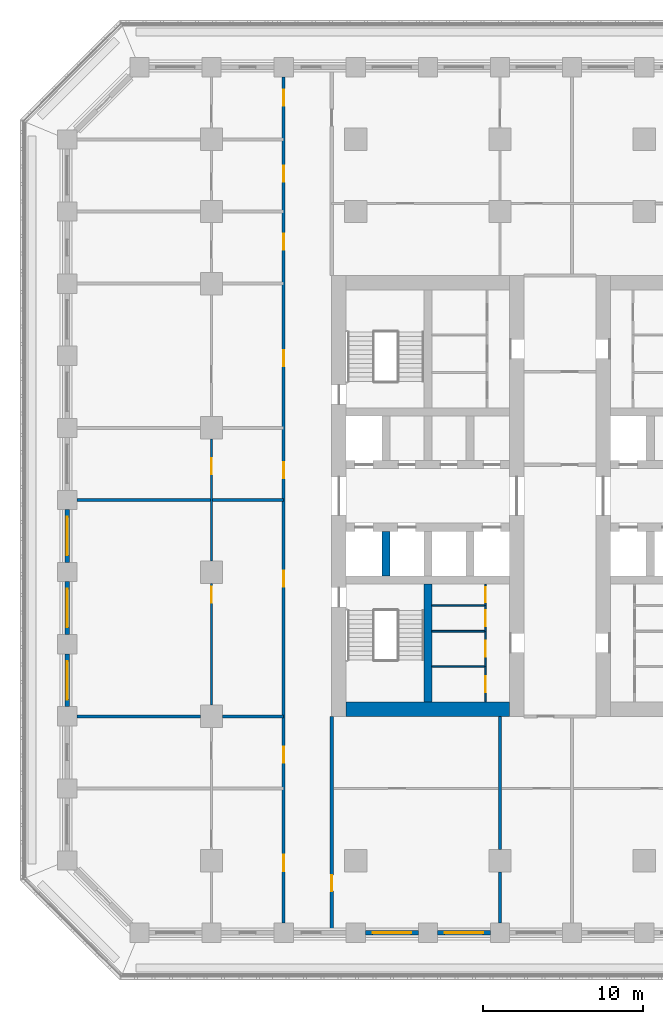
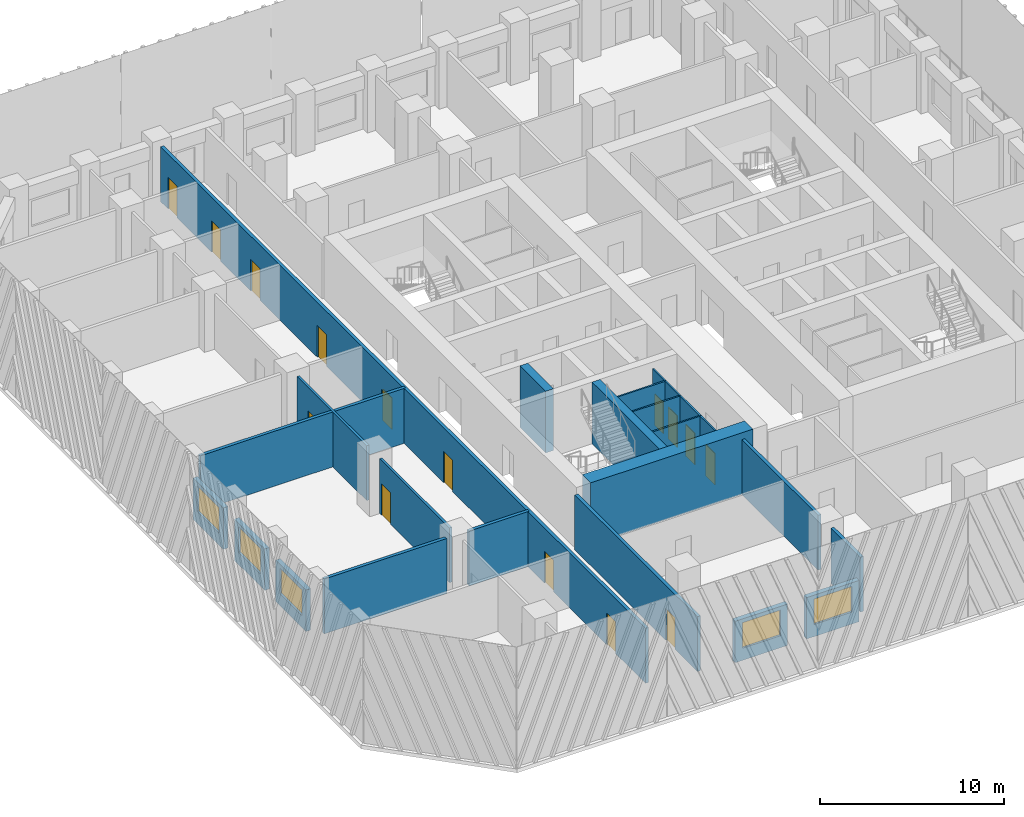
# One storey, part 3 of 19: 24 walls, 15 doors, 5 windows, 20 openings.
"""IFC4 building model written with IfcOpenShell, lengths in metres."""

import ifcopenshell
import ifcopenshell.guid

model = None  # the IFC model being written
_history = None  # IfcOwnerHistory: only IFC2X3 demands one
_inside = {}  # id of a spatial element -> (the spatial element, [elements in it])
_under = {}  # id of a project, library or spatial element -> (it, [spatial elements below it])
_declared = {}  # id of a project -> (the project, [libraries it declares])
_typed = {}  # id of a type object -> (the type object, [elements of that type])
_made_of = {}  # id of a material, layer set ... -> (it, [elements and type objects made of it])


def new_model(schema):
    """Start an empty IFC model of exactly this schema.

    Asked for "IFC4X3", IfcOpenShell would pick the latest addendum, in which some entities
    have other attributes; the version numbers below select the first issue.
    IFC2X3 requires an IfcOwnerHistory on every rooted entity: one is made here for all.
    """
    global model, _history
    if schema == "IFC4X3":
        model = ifcopenshell.file(schema_version=(4, 3, 0, 0))
    else:
        model = ifcopenshell.file(schema=schema)
    _inside.clear()
    _under.clear()
    _declared.clear()
    _typed.clear()
    _made_of.clear()
    _history = None
    if model.schema == "IFC2X3":
        org = make("IfcOrganization", Name="unknown")
        user = make(
            "IfcPersonAndOrganization",
            ThePerson=make("IfcPerson", FamilyName="unknown"),
            TheOrganization=org,
        )
        app = make(
            "IfcApplication",
            ApplicationDeveloper=org,
            Version="unknown",
            ApplicationFullName="unknown",
            ApplicationIdentifier="unknown",
        )
        _history = make(
            "IfcOwnerHistory",
            OwningUser=user,
            OwningApplication=app,
            ChangeAction="ADDED",
            CreationDate=0,
        )
    return model


def make(cls, **values):
    """One entity of the class cls with the attributes given. An attribute that is None is left unset."""
    return model.create_entity(
        cls, **{name: value for name, value in values.items() if value is not None}
    )


def rooted(cls, **values):
    """An entity with a GlobalId (a new one), such as an element, a storey or a relation."""
    return make(cls, GlobalId=ifcopenshell.guid.new(), OwnerHistory=_history, **values)


def si_unit(unit_type, name, prefix=None):
    """IfcSIUnit, for example si_unit("LENGTHUNIT", "METRE", prefix="MILLI")."""
    return make("IfcSIUnit", UnitType=unit_type, Prefix=prefix, Name=name)


def assignment(units):
    """IfcUnitAssignment: the units of a project."""
    return None if units is None else make("IfcUnitAssignment", Units=units)


def point(xyz):
    """IfcCartesianPoint."""
    return None if xyz is None else make("IfcCartesianPoint", Coordinates=xyz)


def direction(xyz):
    """IfcDirection."""
    return None if xyz is None else make("IfcDirection", DirectionRatios=xyz)


def frame(location, z_axis=None, x_axis=None):
    """IfcAxis2Placement3D, a coordinate frame: its origin and axes. An axis left out is left unset."""
    return make(
        "IfcAxis2Placement3D",
        Location=point(location),
        Axis=direction(z_axis),
        RefDirection=direction(x_axis),
    )


def frame_2d(location, x_axis=None):
    """IfcAxis2Placement2D, a coordinate frame in the plane: its origin and x axis."""
    return make(
        "IfcAxis2Placement2D", Location=point(location), RefDirection=direction(x_axis)
    )


def origin():
    """The frame at (0, 0, 0) with its axes left unset."""
    return frame((0.0, 0.0, 0.0))


def place(relative_to, where):
    """IfcLocalPlacement: puts the frame where relative to a parent placement (None: the world)."""
    return make(
        "IfcLocalPlacement", PlacementRelTo=relative_to, RelativePlacement=where
    )


def context(
    kind, dimensions, precision=None, world=None, true_north=None, identifier=None
):
    """IfcGeometricRepresentationContext, for example the 3D "Model" context."""
    return make(
        "IfcGeometricRepresentationContext",
        ContextIdentifier=identifier,
        ContextType=kind,
        CoordinateSpaceDimension=dimensions,
        Precision=precision,
        WorldCoordinateSystem=world,
        TrueNorth=true_north,
    )


def subcontext(parent, identifier, kind, view, scale=None):
    """IfcGeometricRepresentationSubContext, for example "Body" below "Model"."""
    return make(
        "IfcGeometricRepresentationSubContext",
        ContextIdentifier=identifier,
        ContextType=kind,
        ParentContext=parent,
        TargetScale=scale,
        TargetView=view,
    )


def project(units=None, contexts=None):
    """IfcProject with its units and contexts."""
    return rooted(
        "IfcProject",
        Name="project",
        RepresentationContexts=contexts,
        UnitsInContext=assignment(units),
    )


def spatial(cls, under=None, at=None, **own):
    """A site, building, storey or space (cls), placed at a placement, below another one or the project."""
    s = rooted(cls, ObjectPlacement=at, **own)
    if under is not None:
        _under.setdefault(under.id(), (under, []))[1].append(s)
    return s


def profile(cls, at=None, kind="AREA", **sizes):
    """A parametric profile (cls). Its sizes go by their IFC names, for example OverallWidth=200.0."""
    return make(cls, ProfileType=kind, Position=at, **sizes)


def rectangle(**sizes):
    """IfcRectangleProfileDef."""
    return profile("IfcRectangleProfileDef", **sizes)


def extrude(swept, where, along, depth):
    """IfcExtrudedAreaSolid: the profile swept, set in the frame where, extruded along a direction by depth."""
    return make(
        "IfcExtrudedAreaSolid",
        SweptArea=swept,
        Position=where,
        ExtrudedDirection=direction(along),
        Depth=depth,
    )


def shape(context_of_items, identifier, shape_type, items):
    """IfcShapeRepresentation: the items that make up one representation, for example the "Body"."""
    return make(
        "IfcShapeRepresentation",
        ContextOfItems=context_of_items,
        RepresentationIdentifier=identifier,
        RepresentationType=shape_type,
        Items=items,
    )


def material(Name=None, Category=None):
    """IfcMaterial."""
    return make("IfcMaterial", Name=Name, Category=Category)


def layer(
    of_material, thickness, ventilated=None, Name=None, Category=None, Priority=None
):
    """IfcMaterialLayer: one layer of a wall or slab, of a material (None: an air gap)."""
    return make(
        "IfcMaterialLayer",
        Material=of_material,
        LayerThickness=thickness,
        IsVentilated=ventilated,
        Name=Name,
        Category=Category,
        Priority=Priority,
    )


def layer_set(layers, Name=None):
    """IfcMaterialLayerSet."""
    return make("IfcMaterialLayerSet", MaterialLayers=layers, LayerSetName=Name)


def made_of(thing, what):
    """Note that an element or type object is made of a material, layer set ...; save() writes the relation."""
    if what is not None:
        _made_of.setdefault(what.id(), (what, []))[1].append(thing)
    return thing


def type_object(cls, material=None, **own):
    """A type object (cls), such as IfcWallType, which elements share."""
    return made_of(rooted(cls, **own), material)


def element(
    cls,
    number,
    at=None,
    inside=None,
    cuts=None,
    type_object=None,
    material=None,
    context=None,
    identifier="Body",
    shape_type=None,
    held_by="IfcProductDefinitionShape",
    body=None,
    shapes=None,
    **own,
):
    """One element of the class cls, such as IfcWall. Its Tag is "e" and its number.

    at: its placement. inside: the storey or other place that contains it. cuts: it is an
    opening in that element (IfcRelVoidsElement). A single representation is given by context,
    identifier, shape_type and body (its items); several are given by shapes. held_by: the class
    of the entity that holds the representations. save() writes the other relations.
    """
    e = rooted(cls, Tag="e%d" % number, ObjectPlacement=at, **own)
    if body is not None:
        shapes = [shape(context, identifier, shape_type, body)]
    if shapes is not None:
        e.Representation = make(held_by, Representations=shapes)
    if inside is not None:
        _inside.setdefault(inside.id(), (inside, []))[1].append(e)
    if cuts is not None:
        rooted(
            "IfcRelVoidsElement", RelatingBuildingElement=cuts, RelatedOpeningElement=e
        )
    if type_object is not None:
        _typed.setdefault(type_object.id(), (type_object, []))[1].append(e)
    return made_of(e, material)


def fill(opening, filler):
    """IfcRelFillsElement: the door or window that sits in an opening."""
    return rooted(
        "IfcRelFillsElement",
        RelatingOpeningElement=opening,
        RelatedBuildingElement=filler,
    )


def aggregate(whole, parts):
    """IfcRelAggregates: a whole, such as a stair, and the parts it consists of."""
    return rooted("IfcRelAggregates", RelatingObject=whole, RelatedObjects=parts)


def save(model, path):
    """Write the relations noted so far, then the file.

    IfcRelAggregates (storeys below a building ...), IfcRelContainedInSpatialStructure (elements
    in a storey), IfcRelDefinesByType, IfcRelAssociatesMaterial and IfcRelDeclares: one each for
    every whole, place, type object, material and project.
    """
    for whole, parts in _under.values():
        aggregate(whole, parts)
    for where, things in _inside.values():
        rooted(
            "IfcRelContainedInSpatialStructure",
            RelatedElements=things,
            RelatingStructure=where,
        )
    for kind, things in _typed.values():
        rooted("IfcRelDefinesByType", RelatedObjects=things, RelatingType=kind)
    for what, things in _made_of.values():
        rooted("IfcRelAssociatesMaterial", RelatedObjects=things, RelatingMaterial=what)
    for by, libraries in _declared.values():
        rooted("IfcRelDeclares", RelatingContext=by, RelatedDefinitions=libraries)
    model.write(path)


model = new_model("IFC4")

# Units and contexts
model_context = context("Model", 3, precision=1e-05, world=origin(), true_north=direction((0.0, 1.0)))
body_context = subcontext(model_context, "Body", "Model", "MODEL_VIEW")
ifc_project = project(units=[si_unit("LENGTHUNIT", "METRE"), si_unit("AREAUNIT", "SQUARE_METRE"), si_unit("VOLUMEUNIT", "CUBIC_METRE"), si_unit("PLANEANGLEUNIT", "RADIAN"), si_unit("MASSUNIT", "GRAM", prefix="KILO")], contexts=[model_context])

# Site, building, storey
site_placement = place(None, origin())
site = spatial("IfcSite", under=ifc_project, at=site_placement, CompositionType="ELEMENT")
building_placement = place(site_placement, origin())
building = spatial("IfcBuilding", under=site, at=building_placement, Name="Corbel Stack Research Tower", CompositionType="ELEMENT")
storey_placement = place(building_placement, frame((0.0, 0.0, 133.10009765625)))
storey = spatial("IfcBuildingStorey", under=building, at=storey_placement, Name="L30", CompositionType="ELEMENT", Elevation=133.10009765625)

# Walls
ifc_material_1 = material(Name="Concrete C70/85", Category="concrete")
ifc_layer_1 = layer(ifc_material_1, 0.5)
ifc_layer_set_1 = layer_set([ifc_layer_1], Name="Concrete C70/85")
wall_type_1 = type_object("IfcWallType", Name="CW-500-70", PredefinedType="SHEAR", material=ifc_layer_set_1)
wall_1_placement = place(storey_placement, frame((-7.125, -0.25, 0.0), z_axis=(0.0, 0.0, 1.0), x_axis=(0.0, 1.0, 0.0)))
element("IfcWall", 1, at=wall_1_placement, inside=storey, type_object=wall_type_1, Name="West core wall, south shaft 1 L30", PredefinedType="SHEAR", context=body_context, shape_type="SweptSolid", body=[
    extrude(rectangle(XDim=2.800048828125, YDim=0.5, at=frame_2d((1.39990234375, 0.0))), origin(), (0.0, 0.0, 1.0), 4.099853515625),
])
wall_2_placement = place(storey_placement, frame((-4.5, -8.10009765625, 0.0), z_axis=(0.0, 0.0, 1.0), x_axis=(0.0, 1.0, 0.0)))
element("IfcWall", 2, at=wall_2_placement, inside=storey, type_object=wall_type_1, Name="West core wall, south stair and WC L30", PredefinedType="SHEAR", context=body_context, shape_type="SweptSolid", body=[
    extrude(rectangle(XDim=7.35009765625, YDim=0.5, at=frame_2d((3.675048828125, 0.0))), origin(), (0.0, 0.0, 1.0), 4.099853515625),
])
ifc_material_2 = material(Name="Concrete C70/85", Category="concrete")
ifc_layer_2 = layer(ifc_material_2, 0.89990234375)
ifc_layer_set_2 = layer_set([ifc_layer_2], Name="Concrete C70/85")
wall_type_2 = type_object("IfcWallType", Name="CW-900-70", PredefinedType="SHEAR", material=ifc_layer_set_2)
wall_3_placement = place(storey_placement, frame((-9.60009765625, -8.550048828125, 0.0), z_axis=(0.0, 0.0, 1.0), x_axis=(1.0, 0.0, 0.0)))
element("IfcWall", 3, at=wall_3_placement, inside=storey, type_object=wall_type_2, Name="West core wall, south end L30", PredefinedType="SHEAR", context=body_context, shape_type="SweptSolid", body=[
    extrude(rectangle(XDim=10.2001953125, YDim=0.89990234375, at=frame_2d((5.10009765625, 0.0))), origin(), (0.0, 0.0, 1.0), 4.099853515625),
])

# Wall, opening, door
ifc_material_3 = material(Name="Gypsum board")
ifc_layer_3 = layer(ifc_material_3, 0.10009765625)
ifc_layer_set_3 = layer_set([ifc_layer_3], Name="Gypsum board")
wall_type_3 = type_object("IfcWallType", Name="Core partition 100", PredefinedType="PARTITIONING", material=ifc_layer_set_3)
wall_4_placement = place(storey_placement, frame((-0.89990234375, -8.10009765625, 0.0), z_axis=(0.0, 0.0, 1.0), x_axis=(0.0, 1.0, 0.0)))
wall_4 = element("IfcWall", 4, at=wall_4_placement, inside=storey, type_object=wall_type_3, Name="Core partition W", PredefinedType="PARTITIONING", context=body_context, shape_type="SweptSolid", body=[
    extrude(rectangle(XDim=2.205078125, YDim=0.10009765625, at=frame_2d((1.1025390625, 0.0))), origin(), (0.0, 0.0, 1.0), 3.64990234375),
])
opening_1_placement = place(wall_4_placement, frame((0.6025390625, 0.0, 0.0)))
opening_1 = element("IfcOpeningElement", 5, at=opening_1_placement, cuts=wall_4, Name="Opening CR-W42-W2-1000", PredefinedType="OPENING", context=body_context, shape_type="SweptSolid", body=[
    extrude(rectangle(XDim=1.0, YDim=2.10009765625, at=frame_2d((0.5, 1.050048828125))), frame((0.0, 0.06005859375, 0.0), z_axis=(0.0, -1.0, 0.0), x_axis=(1.0, 0.0, 0.0)), (0.0, 0.0, 1.0), 0.1201171875),
])
ifc_material_4 = material(Name="Painted timber door", Category="wood")
door_type_1 = type_object("IfcDoorType", Name="WC door 1000 x 2100 right hand", OperationType="SINGLE_SWING_RIGHT", PredefinedType="DOOR", material=ifc_material_4)
door_1_placement = place(opening_1_placement, origin())
door_1 = element("IfcDoor", 6, at=door_1_placement, inside=storey, type_object=door_type_1, Name="Men's WC door W core", OperationType="SINGLE_SWING_RIGHT", OverallHeight=2.10009765625, OverallWidth=1.0, PredefinedType="DOOR", context=body_context, shape_type="SweptSolid", body=[
    extrude(rectangle(XDim=1.0, YDim=2.10009765625, at=frame_2d((0.5, 1.050048828125))), frame((0.0, 0.02490234375, 0.0), z_axis=(0.0, -1.0, 0.0), x_axis=(1.0, 0.0, 0.0)), (0.0, 0.0, 1.0), 0.050048828125),
])
fill(opening_1, door_1)

wall_5_placement = place(storey_placement, frame((-0.89990234375, -5.89501953125, 0.0), z_axis=(0.0, 0.0, 1.0), x_axis=(0.0, 1.0, 0.0)))
wall_5 = element("IfcWall", 7, at=wall_5_placement, inside=storey, type_object=wall_type_3, Name="Core partition W", PredefinedType="PARTITIONING", context=body_context, shape_type="SweptSolid", body=[
    extrude(rectangle(XDim=2.205078125, YDim=0.10009765625, at=frame_2d((1.1025390625, 0.0))), origin(), (0.0, 0.0, 1.0), 3.64990234375),
])
opening_2_placement = place(wall_5_placement, frame((0.6025390625, 0.0, 0.0)))
opening_2 = element("IfcOpeningElement", 8, at=opening_2_placement, cuts=wall_5, Name="Opening CR-W42-W3-1000", PredefinedType="OPENING", context=body_context, shape_type="SweptSolid", body=[
    extrude(rectangle(XDim=1.0, YDim=2.10009765625, at=frame_2d((0.5, 1.050048828125))), frame((0.0, 0.06005859375, 0.0), z_axis=(0.0, -1.0, 0.0), x_axis=(1.0, 0.0, 0.0)), (0.0, 0.0, 1.0), 0.1201171875),
])
ifc_material_5 = material(Name="Painted timber door", Category="wood")
door_type_2 = type_object("IfcDoorType", Name="WC door 1000 x 2100 left hand", OperationType="SINGLE_SWING_LEFT", PredefinedType="DOOR", material=ifc_material_5)
door_2_placement = place(opening_2_placement, origin())
door_2 = element("IfcDoor", 9, at=door_2_placement, inside=storey, type_object=door_type_2, Name="Women's WC door W core", OperationType="SINGLE_SWING_LEFT", OverallHeight=2.10009765625, OverallWidth=1.0, PredefinedType="DOOR", context=body_context, shape_type="SweptSolid", body=[
    extrude(rectangle(XDim=1.0, YDim=2.10009765625, at=frame_2d((0.5, 1.050048828125))), frame((0.0, 0.02490234375, 0.0), z_axis=(0.0, -1.0, 0.0), x_axis=(1.0, 0.0, 0.0)), (0.0, 0.0, 1.0), 0.050048828125),
])
fill(opening_2, door_2)

wall_6_placement = place(storey_placement, frame((-0.89990234375, -3.68994140625, 0.0), z_axis=(0.0, 0.0, 1.0), x_axis=(0.0, 1.0, 0.0)))
wall_6 = element("IfcWall", 10, at=wall_6_placement, inside=storey, type_object=wall_type_3, Name="Core partition W", PredefinedType="PARTITIONING", context=body_context, shape_type="SweptSolid", body=[
    extrude(rectangle(XDim=1.616943359375, YDim=0.10009765625, at=frame_2d((0.80859375, 0.0))), origin(), (0.0, 0.0, 1.0), 3.64990234375),
])
opening_3_placement = place(wall_6_placement, frame((0.30859375, 0.0, 0.0)))
opening_3 = element("IfcOpeningElement", 11, at=opening_3_placement, cuts=wall_6, Name="Opening CR-W42-W4-1000", PredefinedType="OPENING", context=body_context, shape_type="SweptSolid", body=[
    extrude(rectangle(XDim=1.0, YDim=2.10009765625, at=frame_2d((0.5, 1.050048828125))), frame((0.0, 0.06005859375, 0.0), z_axis=(0.0, -1.0, 0.0), x_axis=(1.0, 0.0, 0.0)), (0.0, 0.0, 1.0), 0.1201171875),
])
door_3_placement = place(opening_3_placement, origin())
door_3 = element("IfcDoor", 12, at=door_3_placement, inside=storey, type_object=door_type_1, Name="Accessible WC door W core", OperationType="SINGLE_SWING_RIGHT", OverallHeight=2.10009765625, OverallWidth=1.0, PredefinedType="DOOR", context=body_context, shape_type="SweptSolid", body=[
    extrude(rectangle(XDim=1.0, YDim=2.10009765625, at=frame_2d((0.5, 1.050048828125))), frame((0.0, 0.02490234375, 0.0), z_axis=(0.0, -1.0, 0.0), x_axis=(1.0, 0.0, 0.0)), (0.0, 0.0, 1.0), 0.050048828125),
])
fill(opening_3, door_3)

wall_7_placement = place(storey_placement, frame((-0.89990234375, -2.072998046875, 0.0), z_axis=(0.0, 0.0, 1.0), x_axis=(0.0, 1.0, 0.0)))
wall_7 = element("IfcWall", 13, at=wall_7_placement, inside=storey, type_object=wall_type_3, Name="Core partition W", PredefinedType="PARTITIONING", context=body_context, shape_type="SweptSolid", body=[
    extrude(rectangle(XDim=1.322998046875, YDim=0.10009765625, at=frame_2d((0.66162109375, 0.0))), origin(), (0.0, 0.0, 1.0), 3.64990234375),
])
opening_4_placement = place(wall_7_placement, frame((0.199951171875, 0.0, 0.0)))
opening_4 = element("IfcOpeningElement", 14, at=opening_4_placement, cuts=wall_7, Name="Opening CR-W42-W5-923", PredefinedType="OPENING", context=body_context, shape_type="SweptSolid", body=[
    extrude(rectangle(XDim=0.923095703125, YDim=2.10009765625, at=frame_2d((0.46142578125, 1.050048828125))), frame((0.0, 0.06005859375, 0.0), z_axis=(0.0, -1.0, 0.0), x_axis=(1.0, 0.0, 0.0)), (0.0, 0.0, 1.0), 0.1201171875),
])
ifc_material_6 = material(Name="Painted steel door", Category="steel")
door_type_3 = type_object("IfcDoorType", Name="Service door 923 x 2100 FD30 left hand", OperationType="SINGLE_SWING_LEFT", PredefinedType="DOOR", material=ifc_material_6)
door_4_placement = place(opening_4_placement, origin())
door_4 = element("IfcDoor", 15, at=door_4_placement, inside=storey, type_object=door_type_3, Name="Cleaner's store door W core", OperationType="SINGLE_SWING_LEFT", OverallHeight=2.10009765625, OverallWidth=0.923095703125, PredefinedType="DOOR", context=body_context, shape_type="SweptSolid", body=[
    extrude(rectangle(XDim=0.923095703125, YDim=2.10009765625, at=frame_2d((0.46142578125, 1.050048828125))), frame((0.0, 0.02490234375, 0.0), z_axis=(0.0, -1.0, 0.0), x_axis=(1.0, 0.0, 0.0)), (0.0, 0.0, 1.0), 0.050048828125),
])
fill(opening_4, door_4)

# Walls
for number, where, z_axis, x_axis, name in (
    (16, (-4.25, -5.89501953125, 0.0), (0.0, 0.0, 1.0), (1.0, 0.0, 0.0), "Core partition W"),
    (17, (-4.25, -3.68994140625, 0.0), (0.0, 0.0, 1.0), (1.0, 0.0, 0.0), "Core partition W"),
    (18, (-4.25, -2.072998046875, 0.0), (0.0, 0.0, 1.0), (1.0, 0.0, 0.0), "Core partition W"),
):
    element("IfcWall", number, at=place(storey_placement, frame(where, z_axis=z_axis, x_axis=x_axis)), inside=storey, type_object=wall_type_3, Name=name, PredefinedType="PARTITIONING", context=body_context, shape_type="SweptSolid", body=[
        extrude(rectangle(XDim=3.35009765625, YDim=0.10009765625, at=frame_2d((1.675048828125, 0.0))), origin(), (0.0, 0.0, 1.0), 3.64990234375),
    ])

# Wall, openings, doors
ifc_material_7 = material(Name="Fire-rated gypsum board partition on steel studs", Category="steel")
ifc_layer_4 = layer(ifc_material_7, 0.199951171875)
ifc_layer_set_4 = layer_set([ifc_layer_4], Name="Fire-rated gypsum board partition on steel studs")
wall_type_4 = type_object("IfcWallType", Name="Fire-rated partition 200 EI 60", PredefinedType="PARTITIONING", material=ifc_layer_set_4)
wall_8_placement = place(storey_placement, frame((-13.5, -21.89990234375, 0.0), z_axis=(0.0, 0.0, 1.0), x_axis=(0.0, 1.0, 0.0)))
wall_8 = element("IfcWall", 19, at=wall_8_placement, inside=storey, type_object=wall_type_4, Name="Partition L30-009", PredefinedType="PARTITIONING", context=body_context, shape_type="SweptSolid", body=[
    extrude(rectangle(XDim=52.7998046875, YDim=0.199951171875, at=frame_2d((26.39990234375, 0.0))), origin(), (0.0, 0.0, 1.0), 3.64990234375),
])
opening_5_placement = place(wall_8_placement, frame((3.25, 0.0, 0.0)))
opening_5 = element("IfcOpeningElement", 20, at=opening_5_placement, cuts=wall_8, Name="Opening B4V1-009", PredefinedType="OPENING", context=body_context, shape_type="SweptSolid", body=[
    extrude(rectangle(XDim=1.0, YDim=2.10009765625, at=frame_2d((0.5, 1.050048828125))), frame((0.0, 0.10986328125, 0.0), z_axis=(0.0, -1.0, 0.0), x_axis=(1.0, 0.0, 0.0)), (0.0, 0.0, 1.0), 0.219970703125),
])
opening_6_placement = place(wall_8_placement, frame((10.0, 0.0, 0.0)))
opening_6 = element("IfcOpeningElement", 21, at=opening_6_placement, cuts=wall_8, Name="Opening B4V1-010", PredefinedType="OPENING", context=body_context, shape_type="SweptSolid", body=[
    extrude(rectangle(XDim=1.0, YDim=2.10009765625, at=frame_2d((0.5, 1.050048828125))), frame((0.0, 0.10986328125, 0.0), z_axis=(0.0, -1.0, 0.0), x_axis=(1.0, 0.0, 0.0)), (0.0, 0.0, 1.0), 0.219970703125),
])
opening_7_placement = place(wall_8_placement, frame((21.0, 0.0, 0.0)))
opening_7 = element("IfcOpeningElement", 22, at=opening_7_placement, cuts=wall_8, Name="Opening B4V1-012", PredefinedType="OPENING", context=body_context, shape_type="SweptSolid", body=[
    extrude(rectangle(XDim=1.0, YDim=2.10009765625, at=frame_2d((0.5, 1.050048828125))), frame((0.0, 0.10986328125, 0.0), z_axis=(0.0, -1.0, 0.0), x_axis=(1.0, 0.0, 0.0)), (0.0, 0.0, 1.0), 0.219970703125),
])
opening_8_placement = place(wall_8_placement, frame((27.75, 0.0, 0.0)))
opening_8 = element("IfcOpeningElement", 23, at=opening_8_placement, cuts=wall_8, Name="Opening B4V1-014", PredefinedType="OPENING", context=body_context, shape_type="SweptSolid", body=[
    extrude(rectangle(XDim=1.0, YDim=2.10009765625, at=frame_2d((0.5, 1.050048828125))), frame((0.0, 0.10986328125, 0.0), z_axis=(0.0, -1.0, 0.0), x_axis=(1.0, 0.0, 0.0)), (0.0, 0.0, 1.0), 0.219970703125),
])
opening_9_placement = place(wall_8_placement, frame((34.75, 0.0, 0.0)))
opening_9 = element("IfcOpeningElement", 24, at=opening_9_placement, cuts=wall_8, Name="Opening B4V1-016", PredefinedType="OPENING", context=body_context, shape_type="SweptSolid", body=[
    extrude(rectangle(XDim=1.0, YDim=2.10009765625, at=frame_2d((0.5, 1.050048828125))), frame((0.0, 0.10986328125, 0.0), z_axis=(0.0, -1.0, 0.0), x_axis=(1.0, 0.0, 0.0)), (0.0, 0.0, 1.0), 0.219970703125),
])
opening_10_placement = place(wall_8_placement, frame((42.0, 0.0, 0.0)))
opening_10 = element("IfcOpeningElement", 25, at=opening_10_placement, cuts=wall_8, Name="Opening B4V1-017", PredefinedType="OPENING", context=body_context, shape_type="SweptSolid", body=[
    extrude(rectangle(XDim=1.0, YDim=2.10009765625, at=frame_2d((0.5, 1.050048828125))), frame((0.0, 0.10986328125, 0.0), z_axis=(0.0, -1.0, 0.0), x_axis=(1.0, 0.0, 0.0)), (0.0, 0.0, 1.0), 0.219970703125),
])
opening_11_placement = place(wall_8_placement, frame((46.25, 0.0, 0.0)))
opening_11 = element("IfcOpeningElement", 26, at=opening_11_placement, cuts=wall_8, Name="Opening B4V1-018", PredefinedType="OPENING", context=body_context, shape_type="SweptSolid", body=[
    extrude(rectangle(XDim=1.0, YDim=2.10009765625, at=frame_2d((0.5, 1.050048828125))), frame((0.0, 0.10986328125, 0.0), z_axis=(0.0, -1.0, 0.0), x_axis=(1.0, 0.0, 0.0)), (0.0, 0.0, 1.0), 0.219970703125),
])
opening_12_placement = place(wall_8_placement, frame((51.0, 0.0, 0.0)))
opening_12 = element("IfcOpeningElement", 27, at=opening_12_placement, cuts=wall_8, Name="Opening B4V1-019", PredefinedType="OPENING", context=body_context, shape_type="SweptSolid", body=[
    extrude(rectangle(XDim=1.0, YDim=2.10009765625, at=frame_2d((0.5, 1.050048828125))), frame((0.0, 0.10986328125, 0.0), z_axis=(0.0, -1.0, 0.0), x_axis=(1.0, 0.0, 0.0)), (0.0, 0.0, 1.0), 0.219970703125),
])
ifc_material_8 = material(Name="Painted steel fire door", Category="steel")
door_type_4 = type_object("IfcDoorType", Name="Fire door FD30S 1000 x 2100", OperationType="NOTDEFINED", PredefinedType="DOOR", material=ifc_material_8)
door_5_placement = place(opening_5_placement, origin())
door_5 = element("IfcDoor", 28, at=door_5_placement, inside=storey, type_object=door_type_4, Name="Door B4V1-009", OperationType="SINGLE_SWING_LEFT", OverallHeight=2.10009765625, OverallWidth=1.0, PredefinedType="DOOR", context=body_context, shape_type="SweptSolid", body=[
    extrude(rectangle(XDim=1.0, YDim=2.10009765625, at=frame_2d((0.5, 1.050048828125))), frame((0.0, 0.02490234375, 0.0), z_axis=(0.0, -1.0, 0.0), x_axis=(1.0, 0.0, 0.0)), (0.0, 0.0, 1.0), 0.050048828125),
])
fill(opening_5, door_5)
door_6_placement = place(opening_6_placement, origin())
door_6 = element("IfcDoor", 29, at=door_6_placement, inside=storey, type_object=door_type_4, Name="Door B4V1-010", OperationType="SINGLE_SWING_LEFT", OverallHeight=2.10009765625, OverallWidth=1.0, PredefinedType="DOOR", context=body_context, shape_type="SweptSolid", body=[
    extrude(rectangle(XDim=1.0, YDim=2.10009765625, at=frame_2d((0.5, 1.050048828125))), frame((0.0, 0.02490234375, 0.0), z_axis=(0.0, -1.0, 0.0), x_axis=(1.0, 0.0, 0.0)), (0.0, 0.0, 1.0), 0.050048828125),
])
fill(opening_6, door_6)
door_7_placement = place(opening_7_placement, origin())
door_7 = element("IfcDoor", 30, at=door_7_placement, inside=storey, type_object=door_type_4, Name="Door B4V1-012", OperationType="SINGLE_SWING_LEFT", OverallHeight=2.10009765625, OverallWidth=1.0, PredefinedType="DOOR", context=body_context, shape_type="SweptSolid", body=[
    extrude(rectangle(XDim=1.0, YDim=2.10009765625, at=frame_2d((0.5, 1.050048828125))), frame((0.0, 0.02490234375, 0.0), z_axis=(0.0, -1.0, 0.0), x_axis=(1.0, 0.0, 0.0)), (0.0, 0.0, 1.0), 0.050048828125),
])
fill(opening_7, door_7)
door_8_placement = place(opening_8_placement, origin())
door_8 = element("IfcDoor", 31, at=door_8_placement, inside=storey, type_object=door_type_4, Name="Door B4V1-014", OperationType="SINGLE_SWING_RIGHT", OverallHeight=2.10009765625, OverallWidth=1.0, PredefinedType="DOOR", context=body_context, shape_type="SweptSolid", body=[
    extrude(rectangle(XDim=1.0, YDim=2.10009765625, at=frame_2d((0.5, 1.050048828125))), frame((0.0, 0.02490234375, 0.0), z_axis=(0.0, -1.0, 0.0), x_axis=(1.0, 0.0, 0.0)), (0.0, 0.0, 1.0), 0.050048828125),
])
fill(opening_8, door_8)
door_9_placement = place(opening_9_placement, origin())
door_9 = element("IfcDoor", 32, at=door_9_placement, inside=storey, type_object=door_type_4, Name="Door B4V1-016", OperationType="SINGLE_SWING_RIGHT", OverallHeight=2.10009765625, OverallWidth=1.0, PredefinedType="DOOR", context=body_context, shape_type="SweptSolid", body=[
    extrude(rectangle(XDim=1.0, YDim=2.10009765625, at=frame_2d((0.5, 1.050048828125))), frame((0.0, 0.02490234375, 0.0), z_axis=(0.0, -1.0, 0.0), x_axis=(1.0, 0.0, 0.0)), (0.0, 0.0, 1.0), 0.050048828125),
])
fill(opening_9, door_9)
door_10_placement = place(opening_10_placement, origin())
door_10 = element("IfcDoor", 33, at=door_10_placement, inside=storey, type_object=door_type_4, Name="Door B4V1-017", OperationType="SINGLE_SWING_RIGHT", OverallHeight=2.10009765625, OverallWidth=1.0, PredefinedType="DOOR", context=body_context, shape_type="SweptSolid", body=[
    extrude(rectangle(XDim=1.0, YDim=2.10009765625, at=frame_2d((0.5, 1.050048828125))), frame((0.0, 0.02490234375, 0.0), z_axis=(0.0, -1.0, 0.0), x_axis=(1.0, 0.0, 0.0)), (0.0, 0.0, 1.0), 0.050048828125),
])
fill(opening_10, door_10)
door_11_placement = place(opening_11_placement, origin())
door_11 = element("IfcDoor", 34, at=door_11_placement, inside=storey, type_object=door_type_4, Name="Door B4V1-018", OperationType="SINGLE_SWING_RIGHT", OverallHeight=2.10009765625, OverallWidth=1.0, PredefinedType="DOOR", context=body_context, shape_type="SweptSolid", body=[
    extrude(rectangle(XDim=1.0, YDim=2.10009765625, at=frame_2d((0.5, 1.050048828125))), frame((0.0, 0.02490234375, 0.0), z_axis=(0.0, -1.0, 0.0), x_axis=(1.0, 0.0, 0.0)), (0.0, 0.0, 1.0), 0.050048828125),
])
fill(opening_11, door_11)
door_12_placement = place(opening_12_placement, origin())
door_12 = element("IfcDoor", 35, at=door_12_placement, inside=storey, type_object=door_type_4, Name="Door B4V1-019", OperationType="SINGLE_SWING_RIGHT", OverallHeight=2.10009765625, OverallWidth=1.0, PredefinedType="DOOR", context=body_context, shape_type="SweptSolid", body=[
    extrude(rectangle(XDim=1.0, YDim=2.10009765625, at=frame_2d((0.5, 1.050048828125))), frame((0.0, 0.02490234375, 0.0), z_axis=(0.0, -1.0, 0.0), x_axis=(1.0, 0.0, 0.0)), (0.0, 0.0, 1.0), 0.050048828125),
])
fill(opening_12, door_12)

# Wall, opening, door
wall_9_placement = place(storey_placement, frame((-10.5, -9.0, 0.0), z_axis=(0.0, 0.0, 1.0), x_axis=(0.0, -1.0, 0.0)))
wall_9 = element("IfcWall", 36, at=wall_9_placement, inside=storey, type_object=wall_type_4, Name="Partition L30-010", PredefinedType="PARTITIONING", context=body_context, shape_type="SweptSolid", body=[
    extrude(rectangle(XDim=13.35009765625, YDim=0.199951171875, at=frame_2d((6.675048828125, 0.0))), origin(), (0.0, 0.0, 1.0), 3.64990234375),
])
opening_13_placement = place(wall_9_placement, frame((9.89990234375, 0.0, 0.0)))
opening_13 = element("IfcOpeningElement", 37, at=opening_13_placement, cuts=wall_9, Name="Opening B4V1-020", PredefinedType="OPENING", context=body_context, shape_type="SweptSolid", body=[
    extrude(rectangle(XDim=1.0, YDim=2.10009765625, at=frame_2d((0.5, 1.050048828125))), frame((0.0, 0.10986328125, 0.0), z_axis=(0.0, -1.0, 0.0), x_axis=(1.0, 0.0, 0.0)), (0.0, 0.0, 1.0), 0.219970703125),
])
door_13_placement = place(opening_13_placement, origin())
door_13 = element("IfcDoor", 38, at=door_13_placement, inside=storey, type_object=door_type_4, Name="Door B4V1-020", OperationType="SINGLE_SWING_RIGHT", OverallHeight=2.10009765625, OverallWidth=1.0, PredefinedType="DOOR", context=body_context, shape_type="SweptSolid", body=[
    extrude(rectangle(XDim=1.0, YDim=2.10009765625, at=frame_2d((0.5, 1.050048828125))), frame((0.0, 0.02490234375, 0.0), z_axis=(0.0, -1.0, 0.0), x_axis=(1.0, 0.0, 0.0)), (0.0, 0.0, 1.0), 0.050048828125),
])
fill(opening_13, door_13)

# Walls
wall_10_placement = place(storey_placement, frame((0.0, -21.89990234375, 0.0), z_axis=(0.0, 0.0, 1.0), x_axis=(0.0, 1.0, 0.0)))
element("IfcWall", 39, at=wall_10_placement, inside=storey, type_object=wall_type_4, Name="Partition L30-015", PredefinedType="PARTITIONING", context=body_context, shape_type="SweptSolid", body=[
    extrude(rectangle(XDim=3.199951171875, YDim=0.199951171875, at=frame_2d((1.60009765625, 0.0))), origin(), (0.0, 0.0, 1.0), 3.64990234375),
])
wall_11_placement = place(storey_placement, frame((0.0, -17.300048828125, 0.0), z_axis=(0.0, 0.0, 1.0), x_axis=(0.0, 1.0, 0.0)))
element("IfcWall", 40, at=wall_11_placement, inside=storey, type_object=wall_type_4, Name="Partition L30-016", PredefinedType="PARTITIONING", context=body_context, shape_type="SweptSolid", body=[
    extrude(rectangle(XDim=8.300048828125, YDim=0.199951171875, at=frame_2d((4.14990234375, 0.0))), origin(), (0.0, 0.0, 1.0), 3.64990234375),
])
wall_12_placement = place(storey_placement, frame((-26.39990234375, -9.0, 0.0), z_axis=(0.0, 0.0, 1.0), x_axis=(1.0, 0.0, 0.0)))
element("IfcWall", 41, at=wall_12_placement, inside=storey, type_object=wall_type_4, Name="Partition L30-028", PredefinedType="PARTITIONING", context=body_context, shape_type="SweptSolid", body=[
    extrude(rectangle(XDim=7.699951171875, YDim=0.199951171875, at=frame_2d((3.85009765625, 0.0))), origin(), (0.0, 0.0, 1.0), 3.64990234375),
])
wall_13_placement = place(storey_placement, frame((-17.300048828125, -9.0, 0.0), z_axis=(0.0, 0.0, 1.0), x_axis=(1.0, 0.0, 0.0)))
element("IfcWall", 42, at=wall_13_placement, inside=storey, type_object=wall_type_4, Name="Partition L30-029", PredefinedType="PARTITIONING", context=body_context, shape_type="SweptSolid", body=[
    extrude(rectangle(XDim=3.800048828125, YDim=0.199951171875, at=frame_2d((1.89990234375, 0.0))), origin(), (0.0, 0.0, 1.0), 3.64990234375),
])
wall_14_placement = place(storey_placement, frame((-26.39990234375, 4.5, 0.0), z_axis=(0.0, 0.0, 1.0), x_axis=(1.0, 0.0, 0.0)))
element("IfcWall", 43, at=wall_14_placement, inside=storey, type_object=wall_type_4, Name="Partition L30-033", PredefinedType="PARTITIONING", context=body_context, shape_type="SweptSolid", body=[
    extrude(rectangle(XDim=12.89990234375, YDim=0.199951171875, at=frame_2d((6.449951171875, 0.0))), origin(), (0.0, 0.0, 1.0), 3.64990234375),
])

# Wall, opening, door
ifc_material_9 = material(Name="Gypsum board partition on steel studs", Category="steel")
ifc_layer_5 = layer(ifc_material_9, 0.14990234375)
ifc_layer_set_5 = layer_set([ifc_layer_5], Name="Gypsum board partition on steel studs")
wall_type_5 = type_object("IfcWallType", Name="Partition 150", PredefinedType="PARTITIONING", material=ifc_layer_set_5)
wall_15_placement = place(storey_placement, frame((-18.0, -8.300048828125, 0.0), z_axis=(0.0, 0.0, 1.0), x_axis=(0.0, 1.0, 0.0)))
wall_15 = element("IfcWall", 44, at=wall_15_placement, inside=storey, type_object=wall_type_5, Name="Partition L30-003", PredefinedType="PARTITIONING", context=body_context, shape_type="SweptSolid", body=[
    extrude(rectangle(XDim=7.60009765625, YDim=0.14990234375, at=frame_2d((3.800048828125, 0.0))), origin(), (0.0, 0.0, 1.0), 3.64990234375),
])
opening_14_placement = place(wall_15_placement, frame((6.39990234375, 0.0, 0.0)))
opening_14 = element("IfcOpeningElement", 45, at=opening_14_placement, cuts=wall_15, Name="Opening B4V1-003", PredefinedType="OPENING", context=body_context, shape_type="SweptSolid", body=[
    extrude(rectangle(XDim=1.0, YDim=2.10009765625, at=frame_2d((0.5, 1.050048828125))), frame((0.0, 0.0849609375, 0.0), z_axis=(0.0, -1.0, 0.0), x_axis=(1.0, 0.0, 0.0)), (0.0, 0.0, 1.0), 0.169921875),
])
ifc_material_10 = material(Name="Painted timber door", Category="wood")
door_type_5 = type_object("IfcDoorType", Name="Single door 1000 x 2100", OperationType="NOTDEFINED", PredefinedType="DOOR", material=ifc_material_10)
door_14_placement = place(opening_14_placement, origin())
door_14 = element("IfcDoor", 46, at=door_14_placement, inside=storey, type_object=door_type_5, Name="Door B4V1-003", OperationType="SINGLE_SWING_RIGHT", OverallHeight=2.10009765625, OverallWidth=1.0, PredefinedType="DOOR", context=body_context, shape_type="SweptSolid", body=[
    extrude(rectangle(XDim=1.0, YDim=2.10009765625, at=frame_2d((0.5, 1.050048828125))), frame((0.0, 0.02490234375, 0.0), z_axis=(0.0, -1.0, 0.0), x_axis=(1.0, 0.0, 0.0)), (0.0, 0.0, 1.0), 0.050048828125),
])
fill(opening_14, door_14)

wall_16_placement = place(storey_placement, frame((-18.0, 0.699951171875, 0.0), z_axis=(0.0, 0.0, 1.0), x_axis=(0.0, 1.0, 0.0)))
wall_16 = element("IfcWall", 47, at=wall_16_placement, inside=storey, type_object=wall_type_5, Name="Partition L30-004", PredefinedType="PARTITIONING", context=body_context, shape_type="SweptSolid", body=[
    extrude(rectangle(XDim=7.60009765625, YDim=0.14990234375, at=frame_2d((3.800048828125, 0.0))), origin(), (0.0, 0.0, 1.0), 3.64990234375),
])
opening_15_placement = place(wall_16_placement, frame((5.39990234375, 0.0, 0.0)))
opening_15 = element("IfcOpeningElement", 48, at=opening_15_placement, cuts=wall_16, Name="Opening B4V1-004", PredefinedType="OPENING", context=body_context, shape_type="SweptSolid", body=[
    extrude(rectangle(XDim=1.0, YDim=2.10009765625, at=frame_2d((0.5, 1.050048828125))), frame((0.0, 0.0849609375, 0.0), z_axis=(0.0, -1.0, 0.0), x_axis=(1.0, 0.0, 0.0)), (0.0, 0.0, 1.0), 0.169921875),
])
door_15_placement = place(opening_15_placement, origin())
door_15 = element("IfcDoor", 49, at=door_15_placement, inside=storey, type_object=door_type_5, Name="Door B4V1-004", OperationType="SINGLE_SWING_RIGHT", OverallHeight=2.10009765625, OverallWidth=1.0, PredefinedType="DOOR", context=body_context, shape_type="SweptSolid", body=[
    extrude(rectangle(XDim=1.0, YDim=2.10009765625, at=frame_2d((0.5, 1.050048828125))), frame((0.0, 0.02490234375, 0.0), z_axis=(0.0, -1.0, 0.0), x_axis=(1.0, 0.0, 0.0)), (0.0, 0.0, 1.0), 0.050048828125),
])
fill(opening_15, door_15)

# Wall, opening, window
ifc_material_11 = material(Name="Concrete C45/55", Category="concrete")
ifc_layer_6 = layer(ifc_material_11, 0.300048828125)
ifc_layer_set_6 = layer_set([ifc_layer_6], Name="Concrete C45/55")
wall_type_6 = type_object("IfcWallType", Name="Terracotta-faced concrete wall 300", PredefinedType="SOLIDWALL", material=ifc_layer_set_6)
wall_17_placement = place(storey_placement, frame((-5.10009765625, -22.5, 0.0), z_axis=(0.0, 0.0, 1.0), x_axis=(-1.0, 0.0, 0.0)))
wall_17 = element("IfcWall", 50, at=wall_17_placement, inside=storey, type_object=wall_type_6, Name="Facade wall L30 S04", PredefinedType="SOLIDWALL", context=body_context, shape_type="SweptSolid", body=[
    extrude(rectangle(XDim=3.2998046875, YDim=0.300048828125, at=frame_2d((1.64990234375, 0.0))), origin(), (0.0, 0.0, 1.0), 2.75),
])
opening_16_placement = place(wall_17_placement, frame((0.449951171875, 0.0, 0.800048828125)))
opening_16 = element("IfcOpeningElement", 51, at=opening_16_placement, cuts=wall_17, Name="Opening W1", PredefinedType="OPENING", context=body_context, shape_type="SweptSolid", body=[
    extrude(rectangle(XDim=2.39990234375, YDim=1.699951171875, at=frame_2d((1.199951171875, 0.85009765625))), frame((0.0, 0.159912109375, 0.0), z_axis=(0.0, -1.0, 0.0), x_axis=(1.0, 0.0, 0.0)), (0.0, 0.0, 1.0), 0.320068359375),
])
ifc_material_12 = material(Name="Aluminium frame, clear double glazing", Category="aluminium")
window_type = type_object("IfcWindowType", Name="Window W1 2400 x 1700", PartitioningType="SINGLE_PANEL", PredefinedType="WINDOW", material=ifc_material_12)
window_1_placement = place(opening_16_placement, origin())
window_1 = element("IfcWindow", 52, at=window_1_placement, inside=storey, type_object=window_type, Name="Window W1 L30 S04", OverallHeight=1.699951171875, OverallWidth=2.39990234375, PartitioningType="SINGLE_PANEL", PredefinedType="WINDOW", context=body_context, shape_type="SweptSolid", body=[
    extrude(rectangle(XDim=2.39990234375, YDim=1.699951171875, at=frame_2d((1.199951171875, 0.85009765625))), frame((0.0, 0.030029296875, 0.0), z_axis=(0.0, -1.0, 0.0), x_axis=(1.0, 0.0, 0.0)), (0.0, 0.0, 1.0), 0.06005859375),
])
fill(opening_16, window_1)

wall_18_placement = place(storey_placement, frame((-0.60009765625, -22.5, 0.0), z_axis=(0.0, 0.0, 1.0), x_axis=(-1.0, 0.0, 0.0)))
wall_18 = element("IfcWall", 53, at=wall_18_placement, inside=storey, type_object=wall_type_6, Name="Facade wall L30 S05", PredefinedType="SOLIDWALL", context=body_context, shape_type="SweptSolid", body=[
    extrude(rectangle(XDim=3.2998046875, YDim=0.300048828125, at=frame_2d((1.64990234375, 0.0))), origin(), (0.0, 0.0, 1.0), 2.75),
])
opening_17_placement = place(wall_18_placement, frame((0.449951171875, 0.0, 0.800048828125)))
opening_17 = element("IfcOpeningElement", 54, at=opening_17_placement, cuts=wall_18, Name="Opening W1", PredefinedType="OPENING", context=body_context, shape_type="SweptSolid", body=[
    extrude(rectangle(XDim=2.39990234375, YDim=1.699951171875, at=frame_2d((1.199951171875, 0.85009765625))), frame((0.0, 0.159912109375, 0.0), z_axis=(0.0, -1.0, 0.0), x_axis=(1.0, 0.0, 0.0)), (0.0, 0.0, 1.0), 0.320068359375),
])
window_2_placement = place(opening_17_placement, origin())
window_2 = element("IfcWindow", 55, at=window_2_placement, inside=storey, type_object=window_type, Name="Window W1 L30 S05", OverallHeight=1.699951171875, OverallWidth=2.39990234375, PartitioningType="SINGLE_PANEL", PredefinedType="WINDOW", context=body_context, shape_type="SweptSolid", body=[
    extrude(rectangle(XDim=2.39990234375, YDim=1.699951171875, at=frame_2d((1.199951171875, 0.85009765625))), frame((0.0, 0.030029296875, 0.0), z_axis=(0.0, -1.0, 0.0), x_axis=(1.0, 0.0, 0.0)), (0.0, 0.0, 1.0), 0.06005859375),
])
fill(opening_17, window_2)

wall_19_placement = place(storey_placement, frame((-27.0, 0.60009765625, 0.0), z_axis=(0.0, 0.0, 1.0), x_axis=(0.0, 1.0, 0.0)))
wall_19 = element("IfcWall", 56, at=wall_19_placement, inside=storey, type_object=wall_type_6, Name="Facade wall L30 W06", PredefinedType="SOLIDWALL", context=body_context, shape_type="SweptSolid", body=[
    extrude(rectangle(XDim=3.2998046875, YDim=0.300048828125, at=frame_2d((1.64990234375, 0.0))), origin(), (0.0, 0.0, 1.0), 2.75),
])
opening_18_placement = place(wall_19_placement, frame((0.449951171875, 0.0, 0.800048828125)))
opening_18 = element("IfcOpeningElement", 57, at=opening_18_placement, cuts=wall_19, Name="Opening W1", PredefinedType="OPENING", context=body_context, shape_type="SweptSolid", body=[
    extrude(rectangle(XDim=2.39990234375, YDim=1.699951171875, at=frame_2d((1.199951171875, 0.85009765625))), frame((0.0, 0.159912109375, 0.0), z_axis=(0.0, -1.0, 0.0), x_axis=(1.0, 0.0, 0.0)), (0.0, 0.0, 1.0), 0.320068359375),
])
window_3_placement = place(opening_18_placement, origin())
window_3 = element("IfcWindow", 58, at=window_3_placement, inside=storey, type_object=window_type, Name="Window W1 L30 W06", OverallHeight=1.699951171875, OverallWidth=2.39990234375, PartitioningType="SINGLE_PANEL", PredefinedType="WINDOW", context=body_context, shape_type="SweptSolid", body=[
    extrude(rectangle(XDim=2.39990234375, YDim=1.699951171875, at=frame_2d((1.199951171875, 0.85009765625))), frame((0.0, 0.030029296875, 0.0), z_axis=(0.0, -1.0, 0.0), x_axis=(1.0, 0.0, 0.0)), (0.0, 0.0, 1.0), 0.06005859375),
])
fill(opening_18, window_3)

wall_20_placement = place(storey_placement, frame((-27.0, -3.89990234375, 0.0), z_axis=(0.0, 0.0, 1.0), x_axis=(0.0, 1.0, 0.0)))
wall_20 = element("IfcWall", 59, at=wall_20_placement, inside=storey, type_object=wall_type_6, Name="Facade wall L30 W07", PredefinedType="SOLIDWALL", context=body_context, shape_type="SweptSolid", body=[
    extrude(rectangle(XDim=3.2998046875, YDim=0.300048828125, at=frame_2d((1.64990234375, 0.0))), origin(), (0.0, 0.0, 1.0), 2.75),
])
opening_19_placement = place(wall_20_placement, frame((0.449951171875, 0.0, 0.800048828125)))
opening_19 = element("IfcOpeningElement", 60, at=opening_19_placement, cuts=wall_20, Name="Opening W1", PredefinedType="OPENING", context=body_context, shape_type="SweptSolid", body=[
    extrude(rectangle(XDim=2.39990234375, YDim=1.699951171875, at=frame_2d((1.199951171875, 0.85009765625))), frame((0.0, 0.159912109375, 0.0), z_axis=(0.0, -1.0, 0.0), x_axis=(1.0, 0.0, 0.0)), (0.0, 0.0, 1.0), 0.320068359375),
])
window_4_placement = place(opening_19_placement, origin())
window_4 = element("IfcWindow", 61, at=window_4_placement, inside=storey, type_object=window_type, Name="Window W1 L30 W07", OverallHeight=1.699951171875, OverallWidth=2.39990234375, PartitioningType="SINGLE_PANEL", PredefinedType="WINDOW", context=body_context, shape_type="SweptSolid", body=[
    extrude(rectangle(XDim=2.39990234375, YDim=1.699951171875, at=frame_2d((1.199951171875, 0.85009765625))), frame((0.0, 0.030029296875, 0.0), z_axis=(0.0, -1.0, 0.0), x_axis=(1.0, 0.0, 0.0)), (0.0, 0.0, 1.0), 0.06005859375),
])
fill(opening_19, window_4)

wall_21_placement = place(storey_placement, frame((-27.0, -8.39990234375, 0.0), z_axis=(0.0, 0.0, 1.0), x_axis=(0.0, 1.0, 0.0)))
wall_21 = element("IfcWall", 62, at=wall_21_placement, inside=storey, type_object=wall_type_6, Name="Facade wall L30 W08", PredefinedType="SOLIDWALL", context=body_context, shape_type="SweptSolid", body=[
    extrude(rectangle(XDim=3.2998046875, YDim=0.300048828125, at=frame_2d((1.64990234375, 0.0))), origin(), (0.0, 0.0, 1.0), 2.75),
])
opening_20_placement = place(wall_21_placement, frame((0.449951171875, 0.0, 0.800048828125)))
opening_20 = element("IfcOpeningElement", 63, at=opening_20_placement, cuts=wall_21, Name="Opening W1", PredefinedType="OPENING", context=body_context, shape_type="SweptSolid", body=[
    extrude(rectangle(XDim=2.39990234375, YDim=1.699951171875, at=frame_2d((1.199951171875, 0.85009765625))), frame((0.0, 0.159912109375, 0.0), z_axis=(0.0, -1.0, 0.0), x_axis=(1.0, 0.0, 0.0)), (0.0, 0.0, 1.0), 0.320068359375),
])
window_5_placement = place(opening_20_placement, origin())
window_5 = element("IfcWindow", 64, at=window_5_placement, inside=storey, type_object=window_type, Name="Window W1 L30 W08", OverallHeight=1.699951171875, OverallWidth=2.39990234375, PartitioningType="SINGLE_PANEL", PredefinedType="WINDOW", context=body_context, shape_type="SweptSolid", body=[
    extrude(rectangle(XDim=2.39990234375, YDim=1.699951171875, at=frame_2d((1.199951171875, 0.85009765625))), frame((0.0, 0.030029296875, 0.0), z_axis=(0.0, -1.0, 0.0), x_axis=(1.0, 0.0, 0.0)), (0.0, 0.0, 1.0), 0.06005859375),
])
fill(opening_20, window_5)

save(model, "model.ifc")
